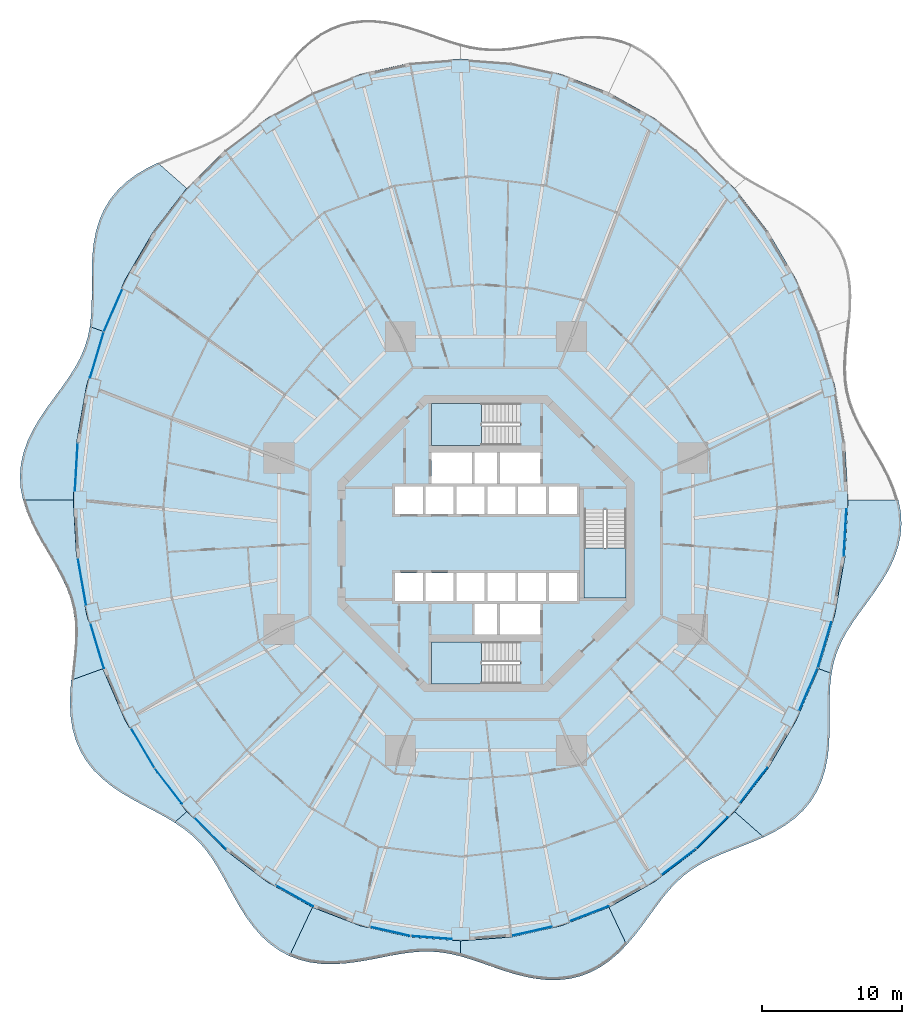
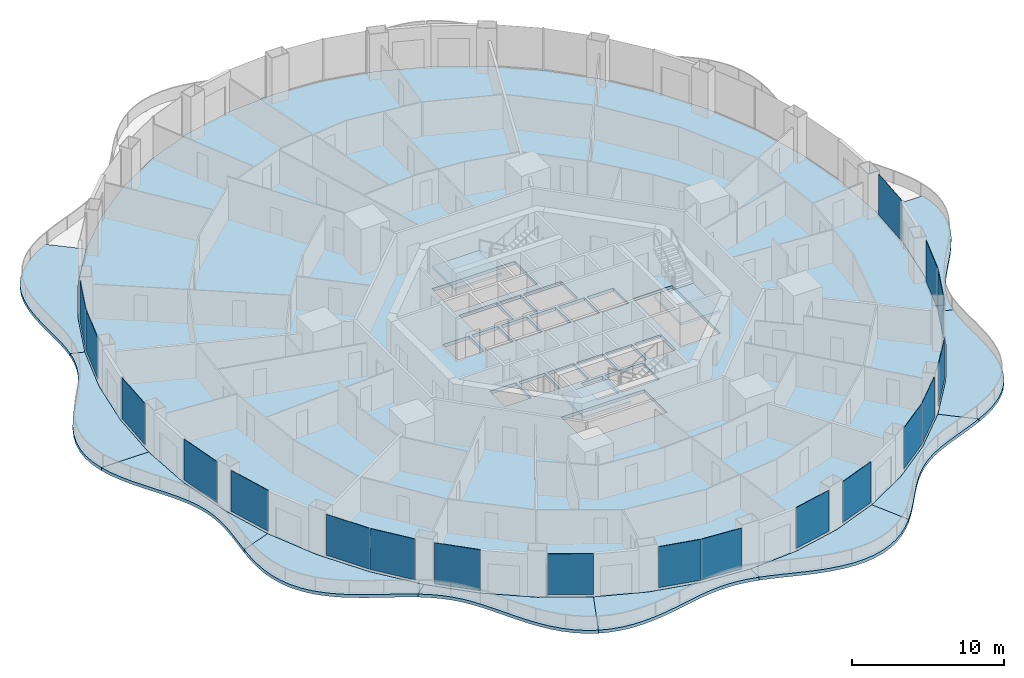
# One storey, part 12 of 22: 19 plates, 14 slabs, 22 elements without a shape of their own.
"""IFC4 building model written with IfcOpenShell, lengths in metres."""

from ifc_helpers import new_model, si_unit, direction, frame, origin, origin_2d, place, context, subcontext, project, spatial, polyline, rectangle, outline, extrude, material, layer, layer_set, type_object, element, aggregate, save


model = new_model("IFC4")

# Units and contexts
model_context = context("Model", 3, precision=1e-05, world=origin(), true_north=direction((0.0, 1.0)))
body_context = subcontext(model_context, "Body", "Model", "MODEL_VIEW")
ifc_project = project(units=[si_unit("LENGTHUNIT", "METRE"), si_unit("AREAUNIT", "SQUARE_METRE"), si_unit("VOLUMEUNIT", "CUBIC_METRE"), si_unit("PLANEANGLEUNIT", "RADIAN"), si_unit("MASSUNIT", "GRAM", prefix="KILO")], contexts=[model_context])

# Site, building, storey
site_placement = place(None, origin())
site = spatial("IfcSite", under=ifc_project, at=site_placement, CompositionType="ELEMENT")
building_placement = place(site_placement, origin())
building = spatial("IfcBuilding", under=site, at=building_placement, Name="Nagisa Residences", CompositionType="ELEMENT")
storey_placement = place(building_placement, frame((0.0, 0.0, 88.10009765625)))
storey = spatial("IfcBuildingStorey", under=building, at=storey_placement, Name="L21", CompositionType="ELEMENT", Elevation=88.10009765625)

# Slabs
ifc_material_1 = material(Name="Concrete C40/50", Category="concrete")
ifc_layer_1 = layer(ifc_material_1, 0.25)
ifc_layer_set_1 = layer_set([ifc_layer_1], Name="BALCONY SLAB 250")
slab_type_1 = type_object("IfcSlabType", Name="BALCONY SLAB 250", PredefinedType="FLOOR", material=ifc_layer_set_1)
slab_1_placement = place(storey_placement, frame((0.0, 0.0, -0.25)))
element("IfcSlab", 1, at=slab_1_placement, inside=storey, type_object=slab_type_1, Name="slab:L21:bal06", PredefinedType="FLOOR", context=body_context, shape_type="SweptSolid", body=[
    extrude(outline(polyline([(-23.45068359375, 27.21875), (-24.246337890625, 26.82373046875), (-25.0, 26.37353515625), (-25.693603515625, 25.860107421875), (-26.312255859375, 25.279052734375), (-26.84375, 24.630126953125), (-27.28076171875, 23.9169921875), (-27.62158203125, 23.146240234375), (-27.86962890625, 22.32861328125), (-28.033203125, 21.475341796875), (-28.126220703125, 20.599853515625), (-28.166259765625, 19.715087890625), (-28.173583984375, 18.833251953125), (-28.170166015625, 17.96533203125), (-28.177978515625, 17.119140625), (-28.217529296875, 16.30078125), (-28.306396484375, 15.5126953125), (-27.386962890625, 15.177978515625), (-25.78466796875, 18.875244140625), (-23.77197265625, 22.302734375), (-21.38330078125, 25.402099609375), (-23.45068359375, 27.21875)])), origin(), (0.0, 0.0, 1.0), 0.25),
])
slab_2_placement = place(storey_placement, frame((0.0, 0.0, -0.25)))
element("IfcSlab", 2, at=slab_2_placement, inside=storey, type_object=slab_type_1, Name="slab:L21:bal07", PredefinedType="FLOOR", context=body_context, shape_type="SweptSolid", body=[
    extrude(outline(polyline([(-28.306396484375, 15.5126953125), (-28.46435546875, 14.73095703125), (-28.69873046875, 13.978271484375), (-29.011962890625, 13.24853515625), (-29.400390625, 12.5341796875), (-29.853271484375, 11.8271484375), (-30.354248046875, 11.118408203125), (-30.882080078125, 10.400146484375), (-31.41259765625, 9.66552734375), (-31.919677734375, 8.910400390625), (-32.377197265625, 8.1318359375), (-32.761962890625, 7.330322265625), (-33.053466796875, 6.508056640625), (-33.2373046875, 5.66943359375), (-33.304443359375, 4.8203125), (-33.2529296875, 3.967529296875), (-33.088623046875, 3.11767578125), (-29.4951171875, 3.11767578125), (-29.258056640625, 7.231201171875), (-28.55126953125, 11.2744140625), (-27.386962890625, 15.177978515625), (-28.306396484375, 15.5126953125)])), origin(), (0.0, 0.0, 1.0), 0.25),
])
slab_3_placement = place(storey_placement, frame((0.0, 0.0, -0.25)))
element("IfcSlab", 3, at=slab_3_placement, inside=storey, type_object=slab_type_1, Name="slab:L21:bal08", PredefinedType="FLOOR", context=body_context, shape_type="SweptSolid", body=[
    extrude(outline(polyline([(-33.088623046875, 3.11767578125), (-32.82275390625, 2.277099609375), (-32.472900390625, 1.45068359375), (-32.0615234375, 0.641845703125), (-31.61376953125, -0.148681640625), (-31.156005859375, -0.921630859375), (-30.7138671875, -1.6806640625), (-30.310791015625, -2.4306640625), (-29.96630859375, -3.178466796875), (-29.6943359375, -3.931396484375), (-29.502685546875, -4.6962890625), (-29.391845703125, -5.47998046875), (-29.355712890625, -6.287109375), (-29.382568359375, -7.120361328125), (-29.4541015625, -7.97998046875), (-29.548828125, -8.863037109375), (-29.641845703125, -9.763427734375), (-27.386962890625, -8.942626953125), (-28.55126953125, -5.0390625), (-29.258056640625, -0.995849609375), (-29.4951171875, 3.11767578125), (-33.088623046875, 3.11767578125)])), origin(), (0.0, 0.0, 1.0), 0.25),
])
slab_4_placement = place(storey_placement, frame((0.0, 0.0, -0.25)))
element("IfcSlab", 4, at=slab_4_placement, inside=storey, type_object=slab_type_1, Name="slab:L21:bal09", PredefinedType="FLOOR", context=body_context, shape_type="SweptSolid", body=[
    extrude(outline(polyline([(-29.641845703125, -9.763427734375), (-29.70703125, -10.644775390625), (-29.724853515625, -11.525390625), (-29.67626953125, -12.39404296875), (-29.54443359375, -13.239501953125), (-29.318359375, -14.05078125), (-28.991943359375, -14.818359375), (-28.564697265625, -15.534423828125), (-28.04150390625, -16.193603515625), (-27.43310546875, -16.794921875), (-26.75390625, -17.33935546875), (-26.021484375, -17.833251953125), (-25.25634765625, -18.284912109375), (-24.478759765625, -18.706298828125), (-23.7080078125, -19.111328125), (-22.962158203125, -19.51513671875), (-22.255126953125, -19.93310546875), (-21.38330078125, -19.166748046875), (-23.77197265625, -16.0673828125), (-25.78466796875, -12.639892578125), (-27.386962890625, -8.942626953125), (-29.641845703125, -9.763427734375)])), origin(), (0.0, 0.0, 1.0), 0.25),
])
slab_5_placement = place(storey_placement, frame((0.0, 0.0, -0.25)))
element("IfcSlab", 5, at=slab_5_placement, inside=storey, type_object=slab_type_1, Name="slab:L21:bal10", PredefinedType="FLOOR", context=body_context, shape_type="SweptSolid", body=[
    extrude(outline(polyline([(-22.255126953125, -19.93310546875), (-21.626953125, -20.357421875), (-21.0478515625, -20.818359375), (-20.5185546875, -21.323486328125), (-20.0361328125, -21.8779296875), (-19.593017578125, -22.482666015625), (-19.1796875, -23.134765625), (-18.78369140625, -23.827392578125), (-18.3916015625, -24.5498046875), (-17.9892578125, -25.288330078125), (-17.5634765625, -26.026611328125), (-17.1025390625, -26.746826171875), (-16.596435546875, -27.430419921875), (-16.0390625, -28.06005859375), (-15.426513671875, -28.619873046875), (-14.759033203125, -29.09619140625), (-14.039306640625, -29.47998046875), (-12.3984375, -25.998291015625), (-15.6474609375, -24.175048828125), (-18.65966796875, -21.884765625), (-21.38330078125, -19.166748046875), (-22.255126953125, -19.93310546875)])), origin(), (0.0, 0.0, 1.0), 0.25),
])
slab_6_placement = place(storey_placement, frame((0.0, 0.0, -0.25)))
element("IfcSlab", 6, at=slab_6_placement, inside=storey, type_object=slab_type_1, Name="slab:L21:bal11", PredefinedType="FLOOR", context=body_context, shape_type="SweptSolid", body=[
    extrude(outline(polyline([(-14.039306640625, -29.47998046875), (-13.30224609375, -29.75732421875), (-12.529296875, -29.943603515625), (-11.72998046875, -30.042724609375), (-10.9130859375, -30.0625), (-10.088623046875, -30.0146484375), (-9.264892578125, -29.913818359375), (-8.4501953125, -29.777099609375), (-7.64990234375, -29.622314453125), (-6.867919921875, -29.4677734375), (-6.10595703125, -29.330810546875), (-5.363525390625, -29.22705078125), (-4.637451171875, -29.1689453125), (-3.923828125, -29.1650390625), (-3.21728515625, -29.220458984375), (-2.51123046875, -29.334716796875), (-1.800048828125, -29.503662109375), (-1.800048828125, -28.397216796875), (-5.4150390625, -28.127685546875), (-8.968017578125, -27.323486328125), (-12.3984375, -25.998291015625), (-14.039306640625, -29.47998046875)])), origin(), (0.0, 0.0, 1.0), 0.25),
])
slab_7_placement = place(storey_placement, frame((0.0, 0.0, -0.25)))
element("IfcSlab", 7, at=slab_7_placement, inside=storey, type_object=slab_type_1, Name="slab:L21:bal12", PredefinedType="FLOOR", context=body_context, shape_type="SweptSolid", body=[
    extrude(outline(polyline([(-1.800048828125, -29.503662109375), (-1.077880859375, -29.71875), (-0.3408203125, -29.967041015625), (0.4140625, -30.233154296875), (1.1875, -30.499267578125), (1.97802734375, -30.746826171875), (2.7822265625, -30.956787109375), (3.594482421875, -31.111328125), (4.407958984375, -31.1953125), (5.214599609375, -31.1962890625), (6.006103515625, -31.105224609375), (6.774169921875, -30.91796875), (7.51123046875, -30.634521484375), (8.21142578125, -30.2587890625), (8.87060546875, -29.799560546875), (9.4873046875, -29.268310546875), (10.0625, -28.68017578125), (8.79833984375, -25.998291015625), (5.367919921875, -27.323486328125), (1.81494140625, -28.127685546875), (-1.800048828125, -28.397216796875), (-1.800048828125, -29.503662109375)])), origin(), (0.0, 0.0, 1.0), 0.25),
])
slab_8_placement = place(storey_placement, frame((0.0, 0.0, -0.25)))
element("IfcSlab", 8, at=slab_8_placement, inside=storey, type_object=slab_type_1, Name="slab:L21:bal13", PredefinedType="FLOOR", context=body_context, shape_type="SweptSolid", body=[
    extrude(outline(polyline([(10.0625, -28.68017578125), (10.619140625, -28.027587890625), (11.141845703125, -27.350830078125), (11.6396484375, -26.669189453125), (12.12353515625, -26.001220703125), (12.605712890625, -25.362060546875), (13.098388671875, -24.764404296875), (13.61328125, -24.216796875), (14.159912109375, -23.72314453125), (14.745849609375, -23.28369140625), (15.375244140625, -22.893798828125), (16.049072265625, -22.545654296875), (16.763916015625, -22.22802734375), (17.51318359375, -21.927490234375), (18.28662109375, -21.6298828125), (19.07080078125, -21.31982421875), (19.8505859375, -20.9833984375), (17.783203125, -19.166748046875), (15.0595703125, -21.884765625), (12.047607421875, -24.175048828125), (8.79833984375, -25.998291015625), (10.0625, -28.68017578125)])), origin(), (0.0, 0.0, 1.0), 0.25),
])
slab_9_placement = place(storey_placement, frame((0.0, 0.0, -0.25)))
element("IfcSlab", 9, at=slab_9_placement, inside=storey, type_object=slab_type_1, Name="slab:L21:bal14", PredefinedType="FLOOR", context=body_context, shape_type="SweptSolid", body=[
    extrude(outline(polyline([(19.8505859375, -20.9833984375), (20.646240234375, -20.58837890625), (21.39990234375, -20.13818359375), (22.09375, -19.624755859375), (22.712158203125, -19.043701171875), (23.24365234375, -18.394775390625), (23.680908203125, -17.681396484375), (24.021728515625, -16.910888671875), (24.26953125, -16.093017578125), (24.43310546875, -15.239990234375), (24.5263671875, -14.364501953125), (24.566162109375, -13.479736328125), (24.573486328125, -12.597900390625), (24.570068359375, -11.729736328125), (24.577880859375, -10.8837890625), (24.617431640625, -10.0654296875), (24.70654296875, -9.27734375), (23.786865234375, -8.942626953125), (22.1845703125, -12.639892578125), (20.171875, -16.0673828125), (17.783203125, -19.166748046875), (19.8505859375, -20.9833984375)])), origin(), (0.0, 0.0, 1.0), 0.25),
])
slab_10_placement = place(storey_placement, frame((0.0, 0.0, -0.25)))
element("IfcSlab", 10, at=slab_10_placement, inside=storey, type_object=slab_type_1, Name="slab:L21:bal15", PredefinedType="FLOOR", context=body_context, shape_type="SweptSolid", body=[
    extrude(outline(polyline([(24.70654296875, -9.27734375), (24.864501953125, -8.49560546875), (25.0986328125, -7.742919921875), (25.412109375, -7.01318359375), (25.80029296875, -6.298828125), (26.253173828125, -5.591796875), (26.754150390625, -4.883056640625), (27.2822265625, -4.164794921875), (27.8125, -3.43017578125), (28.319580078125, -2.6748046875), (28.77734375, -1.896484375), (29.161865234375, -1.0947265625), (29.45361328125, -0.2724609375), (29.63720703125, 0.56591796875), (29.704345703125, 1.4150390625), (29.653076171875, 2.267822265625), (29.488525390625, 3.11767578125), (25.89501953125, 3.11767578125), (25.657958984375, -0.995849609375), (24.951416015625, -5.0390625), (23.786865234375, -8.942626953125), (24.70654296875, -9.27734375)])), origin(), (0.0, 0.0, 1.0), 0.25),
])

# Curtain wall, plate
ifc_material_2 = material(Name="Concrete-coloured aluminium curtain wall system", Category="concrete")
ifc_layer_2 = layer(ifc_material_2, 0.159912109375)
ifc_layer_set_2 = layer_set([ifc_layer_2], Name="CW1 CURTAIN WALL")
curtain_wall_type = type_object("IfcCurtainWallType", Name="CW1 CURTAIN WALL", PredefinedType="NOTDEFINED", material=ifc_layer_set_2)
curtain_wall_1_placement = place(storey_placement, origin())
curtain_wall_1 = element("IfcCurtainWall", 11, at=curtain_wall_1_placement, inside=storey, type_object=curtain_wall_type, Name="cw:CW1:L21:20", PredefinedType="NOTDEFINED")
ifc_material_3 = material(Name="Clear laminated glass", Category="glass")
ifc_layer_3 = layer(ifc_material_3, 0.028076171875)
ifc_layer_set_3 = layer_set([ifc_layer_3], Name="CW1 GLASS PANEL")
plate_type = type_object("IfcPlateType", Name="CW1 GLASS PANEL", PredefinedType="CURTAIN_PANEL", material=ifc_layer_set_3)
plate_1_placement = place(storey_placement, frame((-26.653564453125, 16.6689453125, 0.14990234375), z_axis=(0.0, 0.0, 1.0), x_axis=(-0.397635934147, -0.917543276295, 0.0)))
plate_1 = element("IfcPlate", 12, at=plate_1_placement, type_object=plate_type, Name="CW1 panel", PredefinedType="CURTAIN_PANEL", context=body_context, shape_type="SweptSolid", body=[
    extrude(rectangle(XDim=3.319580078125, YDim=0.028076171875, at=origin_2d()), origin(), (0.0, 0.0, 1.0), 3.2900390625),
])
aggregate(curtain_wall_1, [plate_1])

curtain_wall_2_placement = place(storey_placement, origin())
curtain_wall_2 = element("IfcCurtainWall", 13, at=curtain_wall_2_placement, inside=storey, type_object=curtain_wall_type, Name="cw:CW1:L21:21", PredefinedType="NOTDEFINED")
plate_2_placement = place(storey_placement, frame((-27.80810546875, 13.486083984375, 0.14990234375), z_axis=(0.0, 0.0, 1.0), x_axis=(-0.285860274038, -0.958271310082, 0.0)))
plate_2 = element("IfcPlate", 14, at=plate_2_placement, type_object=plate_type, Name="CW1 panel", PredefinedType="CURTAIN_PANEL", context=body_context, shape_type="SweptSolid", body=[
    extrude(rectangle(XDim=3.363525390625, YDim=0.028076171875, at=origin_2d()), origin(), (0.0, 0.0, 1.0), 3.2900390625),
])
aggregate(curtain_wall_2, [plate_2])

curtain_wall_3_placement = place(storey_placement, origin())
curtain_wall_3 = element("IfcCurtainWall", 15, at=curtain_wall_3_placement, inside=storey, type_object=curtain_wall_type, Name="cw:CW1:L21:23", PredefinedType="NOTDEFINED")
plate_3_placement = place(storey_placement, frame((-29.27978515625, 5.46435546875, 0.14990234375), z_axis=(0.0, 0.0, 1.0), x_axis=(-0.057503492216, -0.998345305184, 0.0)))
plate_3 = element("IfcPlate", 16, at=plate_3_placement, type_object=plate_type, Name="CW1 panel", PredefinedType="CURTAIN_PANEL", context=body_context, shape_type="SweptSolid", body=[
    extrude(rectangle(XDim=3.410400390625, YDim=0.028076171875, at=origin_2d()), origin(), (0.0, 0.0, 1.0), 3.2900390625),
])
aggregate(curtain_wall_3, [plate_3])

curtain_wall_4_placement = place(storey_placement, origin())
curtain_wall_4 = element("IfcCurtainWall", 17, at=curtain_wall_4_placement, inside=storey, type_object=curtain_wall_type, Name="cw:CW1:L21:25", PredefinedType="NOTDEFINED")
plate_4_placement = place(storey_placement, frame((-28.876708984375, -2.713134765625, 0.14990234375), z_axis=(0.0, 0.0, 1.0), x_axis=(0.172190868898, -0.985063604377, 0.0)))
plate_4 = element("IfcPlate", 18, at=plate_4_placement, type_object=plate_type, Name="CW1 panel", PredefinedType="CURTAIN_PANEL", context=body_context, shape_type="SweptSolid", body=[
    extrude(rectangle(XDim=3.39453125, YDim=0.028076171875, at=origin_2d()), origin(), (0.0, 0.0, 1.0), 3.2900390625),
])
aggregate(curtain_wall_4, [plate_4])

curtain_wall_5_placement = place(storey_placement, origin())
curtain_wall_5 = element("IfcCurtainWall", 19, at=curtain_wall_5_placement, inside=storey, type_object=curtain_wall_type, Name="cw:CW1:L21:26", PredefinedType="NOTDEFINED")
plate_5_placement = place(storey_placement, frame((-27.791015625, -7.30810546875, 0.14990234375), z_axis=(0.0, 0.0, 1.0), x_axis=(0.285860274038, -0.958271310082, 0.0)))
plate_5 = element("IfcPlate", 20, at=plate_5_placement, type_object=plate_type, Name="CW1 panel", PredefinedType="CURTAIN_PANEL", context=body_context, shape_type="SweptSolid", body=[
    extrude(rectangle(XDim=3.363525390625, YDim=0.028076171875, at=origin_2d()), origin(), (0.0, 0.0, 1.0), 3.2900390625),
])
aggregate(curtain_wall_5, [plate_5])

curtain_wall_6_placement = place(storey_placement, origin())
curtain_wall_6 = element("IfcCurtainWall", 21, at=curtain_wall_6_placement, inside=storey, type_object=curtain_wall_type, Name="cw:CW1:L21:28", PredefinedType="NOTDEFINED")
plate_6_placement = place(storey_placement, frame((-24.529541015625, -14.619140625, 0.14990234375), z_axis=(0.0, 0.0, 1.0), x_axis=(0.506348567002, -0.862328898214, 0.0)))
plate_6 = element("IfcPlate", 22, at=plate_6_placement, type_object=plate_type, Name="CW1 panel", PredefinedType="CURTAIN_PANEL", context=body_context, shape_type="SweptSolid", body=[
    extrude(rectangle(XDim=3.264892578125, YDim=0.028076171875, at=origin_2d()), origin(), (0.0, 0.0, 1.0), 3.2900390625),
])
aggregate(curtain_wall_6, [plate_6])

curtain_wall_7_placement = place(storey_placement, origin())
curtain_wall_7 = element("IfcCurtainWall", 23, at=curtain_wall_7_placement, inside=storey, type_object=curtain_wall_type, Name="cw:CW1:L21:29", PredefinedType="NOTDEFINED")
plate_7_placement = place(storey_placement, frame((-22.6943359375, -17.334716796875, 0.14990234375), z_axis=(0.0, 0.0, 1.0), x_axis=(0.610429828235, -0.792070340816, 0.0)))
plate_7 = element("IfcPlate", 24, at=plate_7_placement, type_object=plate_type, Name="CW1 panel", PredefinedType="CURTAIN_PANEL", context=body_context, shape_type="SweptSolid", body=[
    extrude(rectangle(XDim=3.202880859375, YDim=0.028076171875, at=origin_2d()), origin(), (0.0, 0.0, 1.0), 3.2900390625),
])
aggregate(curtain_wall_7, [plate_7])

curtain_wall_8_placement = place(storey_placement, origin())
curtain_wall_8 = element("IfcCurtainWall", 25, at=curtain_wall_8_placement, inside=storey, type_object=curtain_wall_type, Name="cw:CW1:L21:30", PredefinedType="NOTDEFINED")
plate_8_placement = place(storey_placement, frame((-19.713623046875, -20.719970703125, 0.14990234375), z_axis=(0.0, 0.0, 1.0), x_axis=(0.707835924016, -0.706376885714, 0.0)))
plate_8 = element("IfcPlate", 26, at=plate_8_placement, type_object=plate_type, Name="CW1 panel", PredefinedType="CURTAIN_PANEL", context=body_context, shape_type="SweptSolid", body=[
    extrude(rectangle(XDim=3.137939453125, YDim=0.028076171875, at=origin_2d()), origin(), (0.0, 0.0, 1.0), 3.2900390625),
])
aggregate(curtain_wall_8, [plate_8])

curtain_wall_9_placement = place(storey_placement, origin())
curtain_wall_9 = element("IfcCurtainWall", 27, at=curtain_wall_9_placement, inside=storey, type_object=curtain_wall_type, Name="cw:CW1:L21:32", PredefinedType="NOTDEFINED")
plate_9_placement = place(storey_placement, frame((-13.67431640625, -25.190673828125, 0.14990234375), z_axis=(0.0, 0.0, 1.0), x_axis=(0.872072377523, -0.489376918501, 0.0)))
plate_9 = element("IfcPlate", 28, at=plate_9_placement, type_object=plate_type, Name="CW1 panel", PredefinedType="CURTAIN_PANEL", context=body_context, shape_type="SweptSolid", body=[
    extrude(rectangle(XDim=3.015625, YDim=0.028076171875, at=origin_2d()), origin(), (0.0, 0.0, 1.0), 3.2900390625),
])
aggregate(curtain_wall_9, [plate_9])

curtain_wall_10_placement = place(storey_placement, origin())
curtain_wall_10 = element("IfcCurtainWall", 29, at=curtain_wall_10_placement, inside=storey, type_object=curtain_wall_type, Name="cw:CW1:L21:34", PredefinedType="NOTDEFINED")
plate_10_placement = place(storey_placement, frame((-6.82763671875, -27.725830078125, 0.14990234375), z_axis=(0.0, 0.0, 1.0), x_axis=(0.975327274089, -0.2207639201, 0.0)))
plate_10 = element("IfcPlate", 30, at=plate_10_placement, type_object=plate_type, Name="CW1 panel", PredefinedType="CURTAIN_PANEL", context=body_context, shape_type="SweptSolid", body=[
    extrude(rectangle(XDim=2.932861328125, YDim=0.028076171875, at=origin_2d()), origin(), (0.0, 0.0, 1.0), 3.2900390625),
])
aggregate(curtain_wall_10, [plate_10])

curtain_wall_11_placement = place(storey_placement, origin())
curtain_wall_11 = element("IfcCurtainWall", 31, at=curtain_wall_11_placement, inside=storey, type_object=curtain_wall_type, Name="cw:CW1:L21:35", PredefinedType="NOTDEFINED")
plate_11_placement = place(storey_placement, frame((-3.895751953125, -28.160888671875, 0.14990234375), z_axis=(0.0, 0.0, 1.0), x_axis=(0.997230168512, -0.074377355493, 0.0)))
plate_11 = element("IfcPlate", 32, at=plate_11_placement, type_object=plate_type, Name="CW1 panel", PredefinedType="CURTAIN_PANEL", context=body_context, shape_type="SweptSolid", body=[
    extrude(rectangle(XDim=2.9150390625, YDim=0.028076171875, at=origin_2d()), origin(), (0.0, 0.0, 1.0), 3.2900390625),
])
aggregate(curtain_wall_11, [plate_11])

curtain_wall_12_placement = place(storey_placement, origin())
curtain_wall_12 = element("IfcCurtainWall", 33, at=curtain_wall_12_placement, inside=storey, type_object=curtain_wall_type, Name="cw:CW1:L21:37", PredefinedType="NOTDEFINED")
plate_12_placement = place(storey_placement, frame((3.2861328125, -27.712646484375, 0.14990234375), z_axis=(0.0, 0.0, 1.0), x_axis=(0.975327274089, 0.2207639201, 0.0)))
plate_12 = element("IfcPlate", 34, at=plate_12_placement, type_object=plate_type, Name="CW1 panel", PredefinedType="CURTAIN_PANEL", context=body_context, shape_type="SweptSolid", body=[
    extrude(rectangle(XDim=2.932861328125, YDim=0.028076171875, at=origin_2d()), origin(), (0.0, 0.0, 1.0), 3.2900390625),
])
aggregate(curtain_wall_12, [plate_12])

curtain_wall_13_placement = place(storey_placement, origin())
curtain_wall_13 = element("IfcCurtainWall", 35, at=curtain_wall_13_placement, inside=storey, type_object=curtain_wall_type, Name="cw:CW1:L21:38", PredefinedType="NOTDEFINED")
plate_13_placement = place(storey_placement, frame((7.385498046875, -26.45849609375, 0.14990234375), z_axis=(0.0, 0.0, 1.0), x_axis=(0.932825759707, 0.360327770268, 0.0)))
plate_13 = element("IfcPlate", 36, at=plate_13_placement, type_object=plate_type, Name="CW1 panel", PredefinedType="CURTAIN_PANEL", context=body_context, shape_type="SweptSolid", body=[
    extrude(rectangle(XDim=2.967529296875, YDim=0.028076171875, at=origin_2d()), origin(), (0.0, 0.0, 1.0), 3.2900390625),
])
aggregate(curtain_wall_13, [plate_13])

curtain_wall_14_placement = place(storey_placement, origin())
curtain_wall_14 = element("IfcCurtainWall", 37, at=curtain_wall_14_placement, inside=storey, type_object=curtain_wall_type, Name="cw:CW1:L21:40", PredefinedType="NOTDEFINED")
plate_14_placement = place(storey_placement, frame((13.787841796875, -22.75146484375, 0.14990234375), z_axis=(0.0, 0.0, 1.0), x_axis=(0.79603132756, 0.605255421737, 0.0)))
plate_14 = element("IfcPlate", 38, at=plate_14_placement, type_object=plate_type, Name="CW1 panel", PredefinedType="CURTAIN_PANEL", context=body_context, shape_type="SweptSolid", body=[
    extrude(rectangle(XDim=3.073974609375, YDim=0.028076171875, at=origin_2d()), origin(), (0.0, 0.0, 1.0), 3.2900390625),
])
aggregate(curtain_wall_14, [plate_14])

curtain_wall_15_placement = place(storey_placement, origin())
curtain_wall_15 = element("IfcCurtainWall", 39, at=curtain_wall_15_placement, inside=storey, type_object=curtain_wall_type, Name="cw:CW1:L21:41", PredefinedType="NOTDEFINED")
plate_15_placement = place(storey_placement, frame((16.15625, -20.677490234375, 0.14990234375), z_axis=(0.0, 0.0, 1.0), x_axis=(0.707835924016, 0.706376885714, 0.0)))
plate_15 = element("IfcPlate", 40, at=plate_15_placement, type_object=plate_type, Name="CW1 panel", PredefinedType="CURTAIN_PANEL", context=body_context, shape_type="SweptSolid", body=[
    extrude(rectangle(XDim=3.137939453125, YDim=0.028076171875, at=origin_2d()), origin(), (0.0, 0.0, 1.0), 3.2900390625),
])
aggregate(curtain_wall_15, [plate_15])

curtain_wall_16_placement = place(storey_placement, origin())
curtain_wall_16 = element("IfcCurtainWall", 41, at=curtain_wall_16_placement, inside=storey, type_object=curtain_wall_type, Name="cw:CW1:L21:42", PredefinedType="NOTDEFINED")
plate_16_placement = place(storey_placement, frame((19.130859375, -17.287109375, 0.14990234375), z_axis=(0.0, 0.0, 1.0), x_axis=(0.610429828235, 0.792070340816, 0.0)))
plate_16 = element("IfcPlate", 42, at=plate_16_placement, type_object=plate_type, Name="CW1 panel", PredefinedType="CURTAIN_PANEL", context=body_context, shape_type="SweptSolid", body=[
    extrude(rectangle(XDim=3.202880859375, YDim=0.028076171875, at=origin_2d()), origin(), (0.0, 0.0, 1.0), 3.2900390625),
])
aggregate(curtain_wall_16, [plate_16])

curtain_wall_17_placement = place(storey_placement, origin())
curtain_wall_17 = element("IfcCurtainWall", 43, at=curtain_wall_17_placement, inside=storey, type_object=curtain_wall_type, Name="cw:CW1:L21:44", PredefinedType="NOTDEFINED")
plate_17_placement = place(storey_placement, frame((23.053466796875, -10.43359375, 0.14990234375), z_axis=(0.0, 0.0, 1.0), x_axis=(0.397635934147, 0.917543276295, 0.0)))
plate_17 = element("IfcPlate", 44, at=plate_17_placement, type_object=plate_type, Name="CW1 panel", PredefinedType="CURTAIN_PANEL", context=body_context, shape_type="SweptSolid", body=[
    extrude(rectangle(XDim=3.319580078125, YDim=0.028076171875, at=origin_2d()), origin(), (0.0, 0.0, 1.0), 3.2900390625),
])
aggregate(curtain_wall_17, [plate_17])

curtain_wall_18_placement = place(storey_placement, origin())
curtain_wall_18 = element("IfcCurtainWall", 45, at=curtain_wall_18_placement, inside=storey, type_object=curtain_wall_type, Name="cw:CW1:L21:45", PredefinedType="NOTDEFINED")
plate_18_placement = place(storey_placement, frame((24.2080078125, -7.25048828125, 0.14990234375), z_axis=(0.0, 0.0, 1.0), x_axis=(0.285860274038, 0.958271310082, 0.0)))
plate_18 = element("IfcPlate", 46, at=plate_18_placement, type_object=plate_type, Name="CW1 panel", PredefinedType="CURTAIN_PANEL", context=body_context, shape_type="SweptSolid", body=[
    extrude(rectangle(XDim=3.363525390625, YDim=0.028076171875, at=origin_2d()), origin(), (0.0, 0.0, 1.0), 3.2900390625),
])
aggregate(curtain_wall_18, [plate_18])

curtain_wall_19_placement = place(storey_placement, origin())
curtain_wall_19 = element("IfcCurtainWall", 47, at=curtain_wall_19_placement, inside=storey, type_object=curtain_wall_type, Name="cw:CW1:L21:47", PredefinedType="NOTDEFINED")
plate_19_placement = place(storey_placement, frame((25.6796875, 0.77099609375, 0.14990234375), z_axis=(0.0, 0.0, 1.0), x_axis=(0.057503492216, 0.998345305184, 0.0)))
plate_19 = element("IfcPlate", 48, at=plate_19_placement, type_object=plate_type, Name="CW1 panel", PredefinedType="CURTAIN_PANEL", context=body_context, shape_type="SweptSolid", body=[
    extrude(rectangle(XDim=3.410400390625, YDim=0.028076171875, at=origin_2d()), origin(), (0.0, 0.0, 1.0), 3.2900390625),
])
aggregate(curtain_wall_19, [plate_19])

# Slab
ifc_material_4 = material(Name="Concrete C40", Category="concrete")
ifc_layer_4 = layer(ifc_material_4, 0.260009765625)
ifc_layer_set_4 = layer_set([ifc_layer_4], Name="Floor slab 260")
slab_type_2 = type_object("IfcSlabType", Name="Floor slab 260", PredefinedType="FLOOR", material=ifc_layer_set_4)
slab_11_placement = place(storey_placement, frame((0.0, 0.0, -0.260009765625)))
element("IfcSlab", 49, at=slab_11_placement, inside=storey, type_object=slab_type_2, Name="slab:L21:floor", PredefinedType="FLOOR", context=body_context, shape_type="SweptSolid", body=[
    extrude(outline(polyline([(25.89501953125, 3.11767578125), (25.657958984375, 7.231201171875), (24.951416015625, 11.2744140625), (23.786865234375, 15.177978515625), (22.1845703125, 18.875244140625), (20.171875, 22.302734375), (17.783203125, 25.402099609375), (15.0595703125, 28.1201171875), (12.047607421875, 30.410400390625), (8.79833984375, 32.233642578125), (5.367919921875, 33.558837890625), (1.81494140625, 34.363037109375), (-1.800048828125, 34.6328125), (-5.4150390625, 34.363037109375), (-8.968017578125, 33.558837890625), (-12.3984375, 32.233642578125), (-15.6474609375, 30.410400390625), (-18.65966796875, 28.1201171875), (-21.38330078125, 25.402099609375), (-23.77197265625, 22.302734375), (-25.78466796875, 18.875244140625), (-27.386962890625, 15.177978515625), (-28.55126953125, 11.2744140625), (-29.258056640625, 7.231201171875), (-29.4951171875, 3.11767578125), (-29.258056640625, -0.995849609375), (-28.55126953125, -5.0390625), (-27.386962890625, -8.942626953125), (-25.78466796875, -12.639892578125), (-23.77197265625, -16.0673828125), (-21.38330078125, -19.166748046875), (-18.65966796875, -21.884765625), (-15.6474609375, -24.175048828125), (-12.3984375, -25.998291015625), (-8.968017578125, -27.323486328125), (-5.4150390625, -28.127685546875), (-1.800048828125, -28.397216796875), (1.81494140625, -28.127685546875), (5.367919921875, -27.323486328125), (8.79833984375, -25.998291015625), (12.047607421875, -24.175048828125), (15.0595703125, -21.884765625), (17.783203125, -19.166748046875), (20.171875, -16.0673828125), (22.1845703125, -12.639892578125), (23.786865234375, -8.942626953125), (24.951416015625, -5.0390625), (25.657958984375, -0.995849609375), (25.89501953125, 3.11767578125)]), holes=[polyline([(-4.5, 2.10009765625), (-4.5, 4.10009765625), (-6.5, 4.10009765625), (-6.5, 2.10009765625), (-4.5, 2.10009765625)]), polyline([(-2.300048828125, 2.10009765625), (-2.300048828125, 4.10009765625), (-4.300048828125, 4.10009765625), (-4.300048828125, 2.10009765625), (-2.300048828125, 2.10009765625)]), polyline([(-0.10009765625, 2.10009765625), (-0.10009765625, 4.10009765625), (-2.10009765625, 4.10009765625), (-2.10009765625, 2.10009765625), (-0.10009765625, 2.10009765625)]), polyline([(2.10009765625, 2.10009765625), (2.10009765625, 4.10009765625), (0.10009765625, 4.10009765625), (0.10009765625, 2.10009765625), (2.10009765625, 2.10009765625)]), polyline([(4.300048828125, 2.10009765625), (4.300048828125, 4.10009765625), (2.300048828125, 4.10009765625), (2.300048828125, 2.10009765625), (4.300048828125, 2.10009765625)]), polyline([(6.5, 2.10009765625), (6.5, 4.10009765625), (4.5, 4.10009765625), (4.5, 2.10009765625), (6.5, 2.10009765625)]), polyline([(-4.5, -4.10009765625), (-4.5, -2.10009765625), (-6.5, -2.10009765625), (-6.5, -4.10009765625), (-4.5, -4.10009765625)]), polyline([(-2.300048828125, -4.10009765625), (-2.300048828125, -2.10009765625), (-4.300048828125, -2.10009765625), (-4.300048828125, -4.10009765625), (-2.300048828125, -4.10009765625)]), polyline([(-0.10009765625, -4.10009765625), (-0.10009765625, -2.10009765625), (-2.10009765625, -2.10009765625), (-2.10009765625, -4.10009765625), (-0.10009765625, -4.10009765625)]), polyline([(2.10009765625, -4.10009765625), (2.10009765625, -2.10009765625), (0.10009765625, -2.10009765625), (0.10009765625, -4.10009765625), (2.10009765625, -4.10009765625)]), polyline([(4.300048828125, -4.10009765625), (4.300048828125, -2.10009765625), (2.300048828125, -2.10009765625), (2.300048828125, -4.10009765625), (4.300048828125, -4.10009765625)]), polyline([(6.5, -4.10009765625), (6.5, -2.10009765625), (4.5, -2.10009765625), (4.5, -4.10009765625), (6.5, -4.10009765625)]), polyline([(3.89990234375, 4.300048828125), (3.89990234375, 6.5), (1.0, 6.5), (1.0, 4.300048828125), (3.89990234375, 4.300048828125)]), polyline([(3.89990234375, -6.5), (3.89990234375, -4.300048828125), (1.0, -4.300048828125), (1.0, -6.5), (3.89990234375, -6.5)]), polyline([(-1.0, 4.300048828125), (-1.0, 6.5), (-3.89990234375, 6.5), (-3.89990234375, 4.300048828125), (-1.0, 4.300048828125)]), polyline([(0.800048828125, 4.300048828125), (0.800048828125, 6.5), (-0.800048828125, 6.5), (-0.800048828125, 4.300048828125), (0.800048828125, 4.300048828125)]), polyline([(0.800048828125, -6.5), (0.800048828125, -4.300048828125), (-0.800048828125, -4.300048828125), (-0.800048828125, -6.5), (0.800048828125, -6.5)]), polyline([(10.024658203125, -3.89990234375), (7.024658203125, -3.89990234375), (7.024658203125, 2.425048828125), (10.024658203125, 2.425048828125), (10.024658203125, -3.89990234375)]), polyline([(-3.89990234375, 7.024658203125), (-3.89990234375, 10.024658203125), (2.425048828125, 10.024658203125), (2.425048828125, 7.024658203125), (-3.89990234375, 7.024658203125)]), polyline([(-3.89990234375, -10.024658203125), (-3.89990234375, -7.024658203125), (2.425048828125, -7.024658203125), (2.425048828125, -10.024658203125), (-3.89990234375, -10.024658203125)])]), origin(), (0.0, 0.0, 1.0), 0.260009765625),
])

# Stair, slab
ifc_material_5 = material(Name="Concrete C60", Category="concrete")
stair_type = type_object("IfcStairType", Name="Exit stair", PredefinedType="HALF_TURN_STAIR", material=ifc_material_5)
stair_1_placement = place(storey_placement, origin())
stair_1 = element("IfcStair", 50, at=stair_1_placement, inside=storey, type_object=stair_type, Name="L21 Exit stair E", PredefinedType="HALF_TURN_STAIR")
ifc_material_6 = material(Name="Concrete C60", Category="concrete")
ifc_layer_5 = layer(ifc_material_6, 0.199951171875)
ifc_layer_set_5 = layer_set([ifc_layer_5], Name="Stair landing")
slab_type_3 = type_object("IfcSlabType", Name="Stair landing", PredefinedType="LANDING", material=ifc_layer_set_5)
slab_12_placement = place(storey_placement, frame((0.0, 0.0, 1.64990234375)))
slab_12 = element("IfcSlab", 51, at=slab_12_placement, type_object=slab_type_3, Name="ST-E landing 1", PredefinedType="LANDING", context=body_context, shape_type="SweptSolid", body=[
    extrude(outline(polyline([(7.024658203125, -0.324951171875), (7.024658203125, -3.89990234375), (10.024658203125, -3.89990234375), (10.024658203125, -0.324951171875), (7.024658203125, -0.324951171875)])), origin(), (0.0, 0.0, 1.0), 0.199951171875),
])
aggregate(stair_1, [slab_12])

stair_2_placement = place(storey_placement, origin())
stair_2 = element("IfcStair", 52, at=stair_2_placement, inside=storey, type_object=stair_type, Name="L21 Exit stair N", PredefinedType="HALF_TURN_STAIR")
slab_13_placement = place(storey_placement, frame((0.0, 0.0, 1.64990234375)))
slab_13 = element("IfcSlab", 53, at=slab_13_placement, type_object=slab_type_3, Name="ST-N landing 1", PredefinedType="LANDING", context=body_context, shape_type="SweptSolid", body=[
    extrude(outline(polyline([(-0.324951171875, 10.024658203125), (-3.89990234375, 10.024658203125), (-3.89990234375, 7.024658203125), (-0.324951171875, 7.024658203125), (-0.324951171875, 10.024658203125)])), origin(), (0.0, 0.0, 1.0), 0.199951171875),
])
aggregate(stair_2, [slab_13])

stair_3_placement = place(storey_placement, origin())
stair_3 = element("IfcStair", 54, at=stair_3_placement, inside=storey, type_object=stair_type, Name="L21 Exit stair S", PredefinedType="HALF_TURN_STAIR")
slab_14_placement = place(storey_placement, frame((0.0, 0.0, 1.64990234375)))
slab_14 = element("IfcSlab", 55, at=slab_14_placement, type_object=slab_type_3, Name="ST-S landing 1", PredefinedType="LANDING", context=body_context, shape_type="SweptSolid", body=[
    extrude(outline(polyline([(-0.324951171875, -7.024658203125), (-3.89990234375, -7.024658203125), (-3.89990234375, -10.024658203125), (-0.324951171875, -10.024658203125), (-0.324951171875, -7.024658203125)])), origin(), (0.0, 0.0, 1.0), 0.199951171875),
])
aggregate(stair_3, [slab_14])

save(model, "model.ifc")
